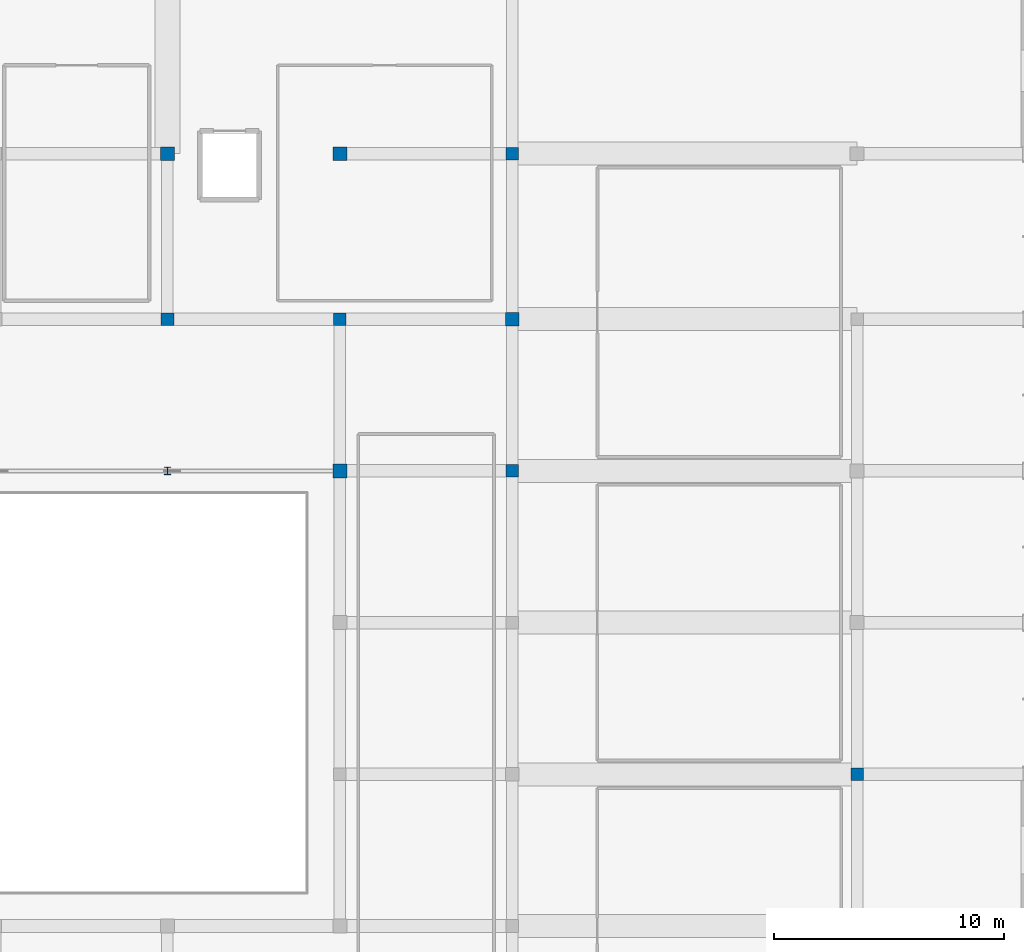
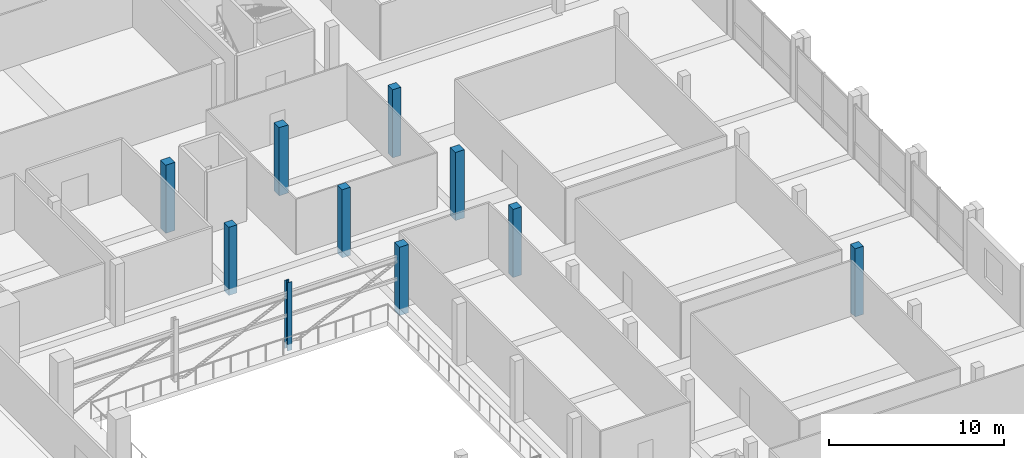
# One storey, part 6 of 68: 10 columns.
"""IFC4 building model written with IfcOpenShell, lengths in metres."""

from ifc_helpers import new_model, si_unit, direction, frame, origin, origin_2d, place, context, subcontext, project, spatial, rectangle, i_section, extrude, material, material_profile, profile_set, type_object, element, save


model = new_model("IFC4")

# Units and contexts
model_context = context("Model", 3, precision=1e-05, world=origin(), true_north=direction((0.0, 1.0)))
body_context = subcontext(model_context, "Body", "Model", "MODEL_VIEW")
ifc_project = project(units=[si_unit("LENGTHUNIT", "METRE"), si_unit("AREAUNIT", "SQUARE_METRE"), si_unit("VOLUMEUNIT", "CUBIC_METRE"), si_unit("PLANEANGLEUNIT", "RADIAN"), si_unit("MASSUNIT", "GRAM", prefix="KILO")], contexts=[model_context])

# Site, building, storey
site_placement = place(None, origin())
site = spatial("IfcSite", under=ifc_project, at=site_placement, CompositionType="ELEMENT")
building_placement = place(site_placement, origin())
building = spatial("IfcBuilding", under=site, at=building_placement, Name="Akrevak Sports Hall", CompositionType="ELEMENT")
storey_placement = place(building_placement, frame((0.0, 0.0, 9.39990234375)))
storey = spatial("IfcBuildingStorey", under=building, at=storey_placement, Name="L02", CompositionType="ELEMENT", Elevation=9.39990234375)

# Columns
ifc_material_1 = material(Name="Concrete C40/50", Category="concrete")
ifc_material_profile_1 = material_profile(ifc_material_1, rectangle(XDim=0.550048828125, YDim=0.550048828125, at=origin_2d()), Name="RC 550x550", Category="concrete")
ifc_profile_set_1 = profile_set([ifc_material_profile_1], Name="Concrete C40/50")
column_type_1 = type_object("IfcColumnType", Name="STR-COL-RC550", PredefinedType="COLUMN", material=ifc_profile_set_1)
for number, where, z_axis, x_axis, name in (
    (1, (130.5, 55.199951171875, -0.449951171875), (0.0, 0.0, 1.0), (1.0, 0.0, 0.0), "Column 18/I (L02)"),
    (2, (138.0, 55.199951171875, -0.449951171875), (0.0, 0.0, 1.0), (1.0, 0.0, 0.0), "Column 19/I (L02)"),
    (3, (145.5, 48.60009765625, -0.449951171875), (0.0, 0.0, 1.0), (1.0, 0.0, 0.0), "Column 20/H (L02)"),
    (4, (145.5, 62.39990234375, -0.449951171875), (0.0, 0.0, 1.0), (1.0, 0.0, 0.0), "Column 20/J (L02)"),
    (5, (160.5, 35.39990234375, -0.449951171875), (0.0, 0.0, 1.0), (1.0, 0.0, 0.0), "Column 22/F (L02)"),
):
    element("IfcColumn", number, at=place(storey_placement, frame(where, z_axis=z_axis, x_axis=x_axis)), inside=storey, type_object=column_type_1, Name=name, PredefinedType="COLUMN", context=body_context, shape_type="SweptSolid", body=[
        extrude(rectangle(XDim=0.550048828125, YDim=0.550048828125, at=origin_2d()), origin(), (0.0, 0.0, 1.0), 4.77001953125),
    ])
ifc_material_profile_2 = material_profile(ifc_material_1, rectangle(XDim=0.60009765625, YDim=0.60009765625, at=origin_2d()), Name="RC 600x600", Category="concrete")
ifc_profile_set_2 = profile_set([ifc_material_profile_2], Name="Concrete C40/50")
column_type_2 = type_object("IfcColumnType", Name="STR-COL-RC600", PredefinedType="COLUMN", material=ifc_profile_set_2)
for number, where, z_axis, x_axis, name in (
    (6, (130.5, 62.39990234375, -0.449951171875), (0.0, 0.0, 1.0), (1.0, 0.0, 0.0), "Column 18/J (L02)"),
    (7, (138.0, 48.60009765625, -0.449951171875), (0.0, 0.0, 1.0), (1.0, 0.0, 0.0), "Column 19/H (L02)"),
    (8, (138.0, 62.39990234375, -0.449951171875), (0.0, 0.0, 1.0), (1.0, 0.0, 0.0), "Column 19/J (L02)"),
    (9, (145.5, 55.199951171875, -0.449951171875), (0.0, 0.0, 1.0), (1.0, 0.0, 0.0), "Column 20/I (L02)"),
):
    element("IfcColumn", number, at=place(storey_placement, frame(where, z_axis=z_axis, x_axis=x_axis)), inside=storey, type_object=column_type_2, Name=name, PredefinedType="COLUMN", context=body_context, shape_type="SweptSolid", body=[
        extrude(rectangle(XDim=0.60009765625, YDim=0.60009765625, at=origin_2d()), origin(), (0.0, 0.0, 1.0), 4.77001953125),
    ])
ifc_material_2 = material(Name="Steel S355", Category="steel")
ifc_material_profile_3 = material_profile(ifc_material_2, i_section(OverallWidth=0.300048828125, OverallDepth=0.330078125, WebThickness=0.009521484375, FlangeThickness=0.0166015625, FilletRadius=0.027099609375, at=origin_2d()), Name="HEA 340", Category="steel")
ifc_profile_set_3 = profile_set([ifc_material_profile_3], Name="Steel S355")
column_type_3 = type_object("IfcColumnType", Name="STR-COL-STL-HEA340", PredefinedType="COLUMN", material=ifc_profile_set_3)
column_placement = place(storey_placement, frame((130.5, 48.60009765625, -0.449951171875), z_axis=(0.0, 0.0, 1.0), x_axis=(1.0, 0.0, 0.0)))
element("IfcColumn", 10, at=column_placement, inside=storey, type_object=column_type_3, Name="Climbing Wall Steel Column SC-2 (L02)", PredefinedType="COLUMN", context=body_context, shape_type="SweptSolid", body=[
    extrude(i_section(OverallWidth=0.300048828125, OverallDepth=0.330078125, WebThickness=0.009521484375, FlangeThickness=0.0166015625, FilletRadius=0.027099609375, at=origin_2d()), origin(), (0.0, 0.0, 1.0), 4.77001953125),
])

save(model, "model.ifc")
